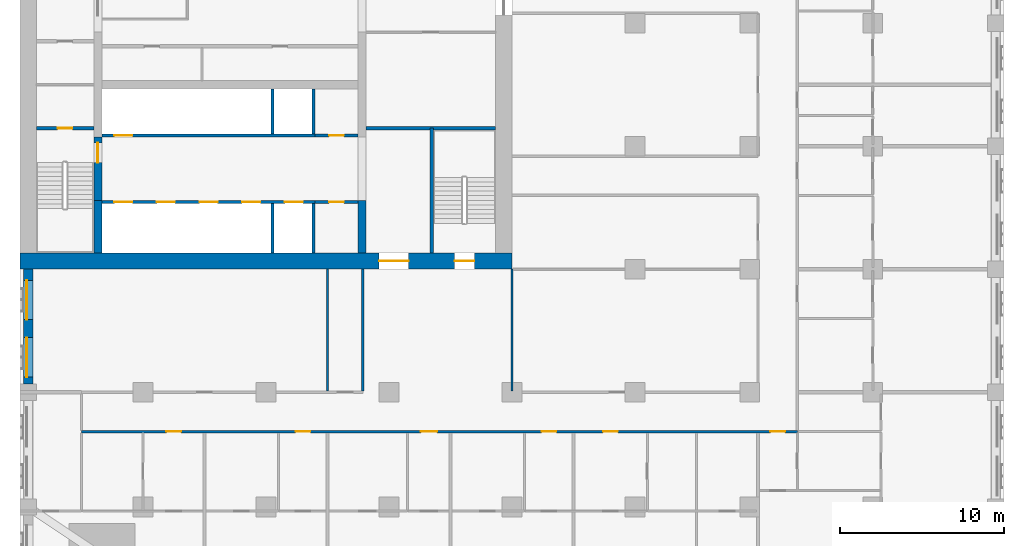
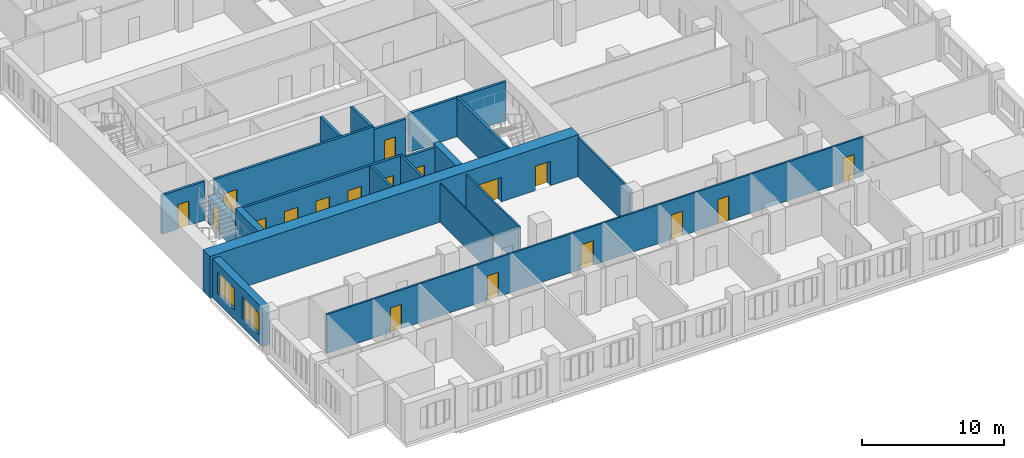
# One storey, part 5 of 14: 20 walls, 18 doors, 2 windows, 20 openings.
"""IFC4 building model written with IfcOpenShell, lengths in metres."""

from ifc_helpers import new_model, si_unit, direction, frame, frame_2d, origin, place, context, subcontext, project, spatial, rectangle, extrude, material, layer, layer_set, type_object, element, fill, save


model = new_model("IFC4")

# Units and contexts
model_context = context("Model", 3, precision=1e-05, world=origin(), true_north=direction((0.0, 1.0)))
body_context = subcontext(model_context, "Body", "Model", "MODEL_VIEW")
ifc_project = project(units=[si_unit("LENGTHUNIT", "METRE"), si_unit("AREAUNIT", "SQUARE_METRE"), si_unit("VOLUMEUNIT", "CUBIC_METRE"), si_unit("PLANEANGLEUNIT", "RADIAN"), si_unit("MASSUNIT", "GRAM", prefix="KILO")], contexts=[model_context])

# Site, building, storey
site_placement = place(None, origin())
site = spatial("IfcSite", under=ifc_project, at=site_placement, CompositionType="ELEMENT")
building_placement = place(site_placement, origin())
building = spatial("IfcBuilding", under=site, at=building_placement, Name="Tamorin Gate", CompositionType="ELEMENT")
storey_placement = place(building_placement, frame((0.0, 0.0, 52.0)))
storey = spatial("IfcBuildingStorey", under=building, at=storey_placement, Name="L11", CompositionType="ELEMENT", Elevation=52.0)

# Wall, openings, windows
ifc_material_1 = material(Name="Precast concrete C40/50", Category="concrete")
ifc_layer_1 = layer(ifc_material_1, 0.60009765625)
ifc_layer_set_1 = layer_set([ifc_layer_1], Name="Precast concrete C40/50")
wall_type_1 = type_object("IfcWallType", Name="Board-marked concrete facade panel 600", PredefinedType="SOLIDWALL", material=ifc_layer_set_1)
wall_1_placement = place(storey_placement, frame((30.5, 60.0, 0.0), z_axis=(0.0, 0.0, 1.0), x_axis=(0.0, -1.0, 0.0)))
wall_1 = element("IfcWall", 1, at=wall_1_placement, inside=storey, type_object=wall_type_1, Name="Facade panel", PredefinedType="SOLIDWALL", context=body_context, shape_type="SweptSolid", body=[
    extrude(rectangle(XDim=7.0, YDim=0.60009765625, at=frame_2d((3.5, 0.0))), origin(), (0.0, 0.0, 1.0), 3.35009765625),
])
opening_1_placement = place(wall_1_placement, frame((4.175048828125, 0.0, 0.800048828125)))
opening_1 = element("IfcOpeningElement", 2, at=opening_1_placement, cuts=wall_1, Name="Opening WN1", PredefinedType="OPENING", context=body_context, shape_type="SweptSolid", body=[
    extrude(rectangle(XDim=2.39990234375, YDim=1.800048828125, at=frame_2d((1.199951171875, 0.89990234375))), frame((0.0, 0.31005859375, 0.0), z_axis=(0.0, -1.0, 0.0), x_axis=(1.0, 0.0, 0.0)), (0.0, 0.0, 1.0), 0.6201171875),
])
opening_2_placement = place(wall_1_placement, frame((0.675048828125, 0.0, 0.800048828125)))
opening_2 = element("IfcOpeningElement", 3, at=opening_2_placement, cuts=wall_1, Name="Opening WN1", PredefinedType="OPENING", context=body_context, shape_type="SweptSolid", body=[
    extrude(rectangle(XDim=2.39990234375, YDim=1.800048828125, at=frame_2d((1.199951171875, 0.89990234375))), frame((0.0, 0.31005859375, 0.0), z_axis=(0.0, -1.0, 0.0), x_axis=(1.0, 0.0, 0.0)), (0.0, 0.0, 1.0), 0.6201171875),
])
ifc_material_2 = material(Name="Clear glass in aluminium frame", Category="aluminium")
window_type = type_object("IfcWindowType", Name="Deep-set window 2400x1800", PartitioningType="SINGLE_PANEL", PredefinedType="WINDOW", material=ifc_material_2)
window_1_placement = place(opening_1_placement, origin())
window_1 = element("IfcWindow", 4, at=window_1_placement, inside=storey, type_object=window_type, Name="Deep-set window", OverallHeight=1.800048828125, OverallWidth=2.39990234375, PartitioningType="SINGLE_PANEL", PredefinedType="WINDOW", context=body_context, shape_type="SweptSolid", body=[
    extrude(rectangle(XDim=2.39990234375, YDim=1.800048828125, at=frame_2d((1.199951171875, 0.89990234375))), frame((0.0, -0.070068359375, 0.0), z_axis=(0.0, -1.0, 0.0), x_axis=(1.0, 0.0, 0.0)), (0.0, 0.0, 1.0), 0.06005859375),
])
fill(opening_1, window_1)
window_2_placement = place(opening_2_placement, origin())
window_2 = element("IfcWindow", 5, at=window_2_placement, inside=storey, type_object=window_type, Name="Deep-set window", OverallHeight=1.800048828125, OverallWidth=2.39990234375, PartitioningType="SINGLE_PANEL", PredefinedType="WINDOW", context=body_context, shape_type="SweptSolid", body=[
    extrude(rectangle(XDim=2.39990234375, YDim=1.800048828125, at=frame_2d((1.199951171875, 0.89990234375))), frame((0.0, -0.070068359375, 0.0), z_axis=(0.0, -1.0, 0.0), x_axis=(1.0, 0.0, 0.0)), (0.0, 0.0, 1.0), 0.06005859375),
])
fill(opening_2, window_2)

# Wall, openings, doors
ifc_material_3 = material(Name="Gypsum board partition")
ifc_layer_2 = layer(ifc_material_3, 0.14990234375)
ifc_layer_set_2 = layer_set([ifc_layer_2], Name="Corridor wall 150")
wall_type_2 = type_object("IfcWallType", Name="Corridor wall 150", PredefinedType="PARTITIONING", material=ifc_layer_set_2)
wall_2_placement = place(storey_placement, frame((33.75, 50.10009765625, 0.0), z_axis=(0.0, 0.0, 1.0), x_axis=(1.0, 0.0, 0.0)))
wall_2 = element("IfcWall", 6, at=wall_2_placement, inside=storey, type_object=wall_type_2, Name="Corridor wall 150", PredefinedType="PARTITIONING", context=body_context, shape_type="SweptSolid", body=[
    extrude(rectangle(XDim=43.64990234375, YDim=0.14990234375, at=frame_2d((21.824951171875, 0.0))), origin(), (0.0, 0.0, 1.0), 3.35009765625),
])
opening_3_placement = place(wall_2_placement, frame((5.175048828125, 0.0, 0.0)))
opening_3 = element("IfcOpeningElement", 7, at=opening_3_placement, cuts=wall_2, Name="Opening DH2003", PredefinedType="OPENING", context=body_context, shape_type="SweptSolid", body=[
    extrude(rectangle(XDim=0.89990234375, YDim=2.10009765625, at=frame_2d((0.449951171875, 1.050048828125))), frame((0.0, 0.0849609375, 0.0), z_axis=(0.0, -1.0, 0.0), x_axis=(1.0, 0.0, 0.0)), (0.0, 0.0, 1.0), 0.169921875),
])
opening_4_placement = place(wall_2_placement, frame((13.050048828125, 0.0, 0.0)))
opening_4 = element("IfcOpeningElement", 8, at=opening_4_placement, cuts=wall_2, Name="Opening DH2006", PredefinedType="OPENING", context=body_context, shape_type="SweptSolid", body=[
    extrude(rectangle(XDim=0.89990234375, YDim=2.10009765625, at=frame_2d((0.449951171875, 1.050048828125))), frame((0.0, 0.0849609375, 0.0), z_axis=(0.0, -1.0, 0.0), x_axis=(1.0, 0.0, 0.0)), (0.0, 0.0, 1.0), 0.169921875),
])
opening_5_placement = place(wall_2_placement, frame((20.6875, 0.0, 0.0)))
opening_5 = element("IfcOpeningElement", 9, at=opening_5_placement, cuts=wall_2, Name="Opening DH2009", PredefinedType="OPENING", context=body_context, shape_type="SweptSolid", body=[
    extrude(rectangle(XDim=1.0, YDim=2.10009765625, at=frame_2d((0.5, 1.050048828125))), frame((0.0, 0.0849609375, 0.0), z_axis=(0.0, -1.0, 0.0), x_axis=(1.0, 0.0, 0.0)), (0.0, 0.0, 1.0), 0.169921875),
])
opening_6_placement = place(wall_2_placement, frame((28.050048828125, 0.0, 0.0)))
opening_6 = element("IfcOpeningElement", 10, at=opening_6_placement, cuts=wall_2, Name="Opening DH2012", PredefinedType="OPENING", context=body_context, shape_type="SweptSolid", body=[
    extrude(rectangle(XDim=0.89990234375, YDim=2.10009765625, at=frame_2d((0.449951171875, 1.050048828125))), frame((0.0, 0.0849609375, 0.0), z_axis=(0.0, -1.0, 0.0), x_axis=(1.0, 0.0, 0.0)), (0.0, 0.0, 1.0), 0.169921875),
])
opening_7_placement = place(wall_2_placement, frame((31.800048828125, 0.0, 0.0)))
opening_7 = element("IfcOpeningElement", 11, at=opening_7_placement, cuts=wall_2, Name="Opening DH2014", PredefinedType="OPENING", context=body_context, shape_type="SweptSolid", body=[
    extrude(rectangle(XDim=0.89990234375, YDim=2.10009765625, at=frame_2d((0.449951171875, 1.050048828125))), frame((0.0, 0.0849609375, 0.0), z_axis=(0.0, -1.0, 0.0), x_axis=(1.0, 0.0, 0.0)), (0.0, 0.0, 1.0), 0.169921875),
])
opening_8_placement = place(wall_2_placement, frame((42.0, 0.0, 0.0)))
opening_8 = element("IfcOpeningElement", 12, at=opening_8_placement, cuts=wall_2, Name="Opening DH2055", PredefinedType="OPENING", context=body_context, shape_type="SweptSolid", body=[
    extrude(rectangle(XDim=0.89990234375, YDim=2.10009765625, at=frame_2d((0.449951171875, 1.050048828125))), frame((0.0, 0.0849609375, 0.0), z_axis=(0.0, -1.0, 0.0), x_axis=(1.0, 0.0, 0.0)), (0.0, 0.0, 1.0), 0.169921875),
])
ifc_material_4 = material(Name="Timber door leaf", Category="wood")
door_type_1 = type_object("IfcDoorType", Name="Door 1000 x 2100 FD30S", OperationType="NOTDEFINED", PredefinedType="DOOR", material=ifc_material_4)
door_1_placement = place(opening_5_placement, origin())
door_1 = element("IfcDoor", 13, at=door_1_placement, inside=storey, type_object=door_type_1, Name="Door DH2009", OperationType="SINGLE_SWING_RIGHT", OverallHeight=2.10009765625, OverallWidth=1.0, PredefinedType="DOOR", context=body_context, shape_type="SweptSolid", body=[
    extrude(rectangle(XDim=1.0, YDim=2.10009765625, at=frame_2d((0.5, 1.050048828125))), frame((0.0, 0.02490234375, 0.0), z_axis=(0.0, -1.0, 0.0), x_axis=(1.0, 0.0, 0.0)), (0.0, 0.0, 1.0), 0.050048828125),
])
fill(opening_5, door_1)
door_type_2 = type_object("IfcDoorType", Name="Door 900 x 2100 FD30S", OperationType="NOTDEFINED", PredefinedType="DOOR", material=ifc_material_4)
door_2_placement = place(opening_3_placement, origin())
door_2 = element("IfcDoor", 14, at=door_2_placement, inside=storey, type_object=door_type_2, Name="Door DH2003", OperationType="SINGLE_SWING_RIGHT", OverallHeight=2.10009765625, OverallWidth=0.89990234375, PredefinedType="DOOR", context=body_context, shape_type="SweptSolid", body=[
    extrude(rectangle(XDim=0.89990234375, YDim=2.10009765625, at=frame_2d((0.449951171875, 1.050048828125))), frame((0.0, 0.02490234375, 0.0), z_axis=(0.0, -1.0, 0.0), x_axis=(1.0, 0.0, 0.0)), (0.0, 0.0, 1.0), 0.050048828125),
])
fill(opening_3, door_2)
door_3_placement = place(opening_4_placement, origin())
door_3 = element("IfcDoor", 15, at=door_3_placement, inside=storey, type_object=door_type_2, Name="Door DH2006", OperationType="SINGLE_SWING_RIGHT", OverallHeight=2.10009765625, OverallWidth=0.89990234375, PredefinedType="DOOR", context=body_context, shape_type="SweptSolid", body=[
    extrude(rectangle(XDim=0.89990234375, YDim=2.10009765625, at=frame_2d((0.449951171875, 1.050048828125))), frame((0.0, 0.02490234375, 0.0), z_axis=(0.0, -1.0, 0.0), x_axis=(1.0, 0.0, 0.0)), (0.0, 0.0, 1.0), 0.050048828125),
])
fill(opening_4, door_3)
door_4_placement = place(opening_6_placement, origin())
door_4 = element("IfcDoor", 16, at=door_4_placement, inside=storey, type_object=door_type_2, Name="Door DH2012", OperationType="SINGLE_SWING_RIGHT", OverallHeight=2.10009765625, OverallWidth=0.89990234375, PredefinedType="DOOR", context=body_context, shape_type="SweptSolid", body=[
    extrude(rectangle(XDim=0.89990234375, YDim=2.10009765625, at=frame_2d((0.449951171875, 1.050048828125))), frame((0.0, 0.02490234375, 0.0), z_axis=(0.0, -1.0, 0.0), x_axis=(1.0, 0.0, 0.0)), (0.0, 0.0, 1.0), 0.050048828125),
])
fill(opening_6, door_4)
door_5_placement = place(opening_7_placement, origin())
door_5 = element("IfcDoor", 17, at=door_5_placement, inside=storey, type_object=door_type_2, Name="Door DH2014", OperationType="SINGLE_SWING_RIGHT", OverallHeight=2.10009765625, OverallWidth=0.89990234375, PredefinedType="DOOR", context=body_context, shape_type="SweptSolid", body=[
    extrude(rectangle(XDim=0.89990234375, YDim=2.10009765625, at=frame_2d((0.449951171875, 1.050048828125))), frame((0.0, 0.02490234375, 0.0), z_axis=(0.0, -1.0, 0.0), x_axis=(1.0, 0.0, 0.0)), (0.0, 0.0, 1.0), 0.050048828125),
])
fill(opening_7, door_5)
door_6_placement = place(opening_8_placement, origin())
door_6 = element("IfcDoor", 18, at=door_6_placement, inside=storey, type_object=door_type_2, Name="Door DH2055", OperationType="SINGLE_SWING_LEFT", OverallHeight=2.10009765625, OverallWidth=0.89990234375, PredefinedType="DOOR", context=body_context, shape_type="SweptSolid", body=[
    extrude(rectangle(XDim=0.89990234375, YDim=2.10009765625, at=frame_2d((0.449951171875, 1.050048828125))), frame((0.0, 0.02490234375, 0.0), z_axis=(0.0, -1.0, 0.0), x_axis=(1.0, 0.0, 0.0)), (0.0, 0.0, 1.0), 0.050048828125),
])
fill(opening_8, door_6)

ifc_material_5 = material(Name="Concrete C32/40", Category="concrete")
ifc_layer_3 = layer(ifc_material_5, 0.199951171875)
ifc_layer_set_3 = layer_set([ifc_layer_3], Name="Lift lobby face wall 200 EI 120")
wall_type_3 = type_object("IfcWallType", Name="Lift lobby face wall 200 EI 120", PredefinedType="SOLIDWALL", material=ifc_layer_set_3)
wall_3_placement = place(storey_placement, frame((35.0, 64.10009765625, 0.0), z_axis=(0.0, 0.0, 1.0), x_axis=(1.0, 0.0, 0.0)))
wall_3 = element("IfcWall", 19, at=wall_3_placement, inside=storey, type_object=wall_type_3, Name="Lift lobby face wall", PredefinedType="SOLIDWALL", context=body_context, shape_type="SweptSolid", body=[
    extrude(rectangle(XDim=13.0, YDim=0.199951171875, at=frame_2d((6.5, 0.0))), origin(), (0.0, 0.0, 1.0), 3.60009765625),
])
opening_9_placement = place(wall_3_placement, frame((0.75, 0.0, 0.0)))
opening_9 = element("IfcOpeningElement", 20, at=opening_9_placement, cuts=wall_3, Name="Opening LD1", PredefinedType="OPENING", context=body_context, shape_type="SweptSolid", body=[
    extrude(rectangle(XDim=1.10009765625, YDim=2.10009765625, at=frame_2d((0.550048828125, 1.050048828125))), frame((0.0, 0.10986328125, 0.0), z_axis=(0.0, -1.0, 0.0), x_axis=(1.0, 0.0, 0.0)), (0.0, 0.0, 1.0), 0.219970703125),
])
opening_10_placement = place(wall_3_placement, frame((3.35009765625, 0.0, 0.0)))
opening_10 = element("IfcOpeningElement", 21, at=opening_10_placement, cuts=wall_3, Name="Opening LD2", PredefinedType="OPENING", context=body_context, shape_type="SweptSolid", body=[
    extrude(rectangle(XDim=1.10009765625, YDim=2.10009765625, at=frame_2d((0.550048828125, 1.050048828125))), frame((0.0, 0.10986328125, 0.0), z_axis=(0.0, -1.0, 0.0), x_axis=(1.0, 0.0, 0.0)), (0.0, 0.0, 1.0), 0.219970703125),
])
opening_11_placement = place(wall_3_placement, frame((5.949951171875, 0.0, 0.0)))
opening_11 = element("IfcOpeningElement", 22, at=opening_11_placement, cuts=wall_3, Name="Opening LD3", PredefinedType="OPENING", context=body_context, shape_type="SweptSolid", body=[
    extrude(rectangle(XDim=1.10009765625, YDim=2.10009765625, at=frame_2d((0.550048828125, 1.050048828125))), frame((0.0, 0.10986328125, 0.0), z_axis=(0.0, -1.0, 0.0), x_axis=(1.0, 0.0, 0.0)), (0.0, 0.0, 1.0), 0.219970703125),
])
opening_12_placement = place(wall_3_placement, frame((8.550048828125, 0.0, 0.0)))
opening_12 = element("IfcOpeningElement", 23, at=opening_12_placement, cuts=wall_3, Name="Opening LD4", PredefinedType="OPENING", context=body_context, shape_type="SweptSolid", body=[
    extrude(rectangle(XDim=1.10009765625, YDim=2.10009765625, at=frame_2d((0.550048828125, 1.050048828125))), frame((0.0, 0.10986328125, 0.0), z_axis=(0.0, -1.0, 0.0), x_axis=(1.0, 0.0, 0.0)), (0.0, 0.0, 1.0), 0.219970703125),
])
opening_13_placement = place(wall_3_placement, frame((11.14990234375, 0.0, 0.0)))
opening_13 = element("IfcOpeningElement", 24, at=opening_13_placement, cuts=wall_3, Name="Opening LD5", PredefinedType="OPENING", context=body_context, shape_type="SweptSolid", body=[
    extrude(rectangle(XDim=1.10009765625, YDim=2.10009765625, at=frame_2d((0.550048828125, 1.050048828125))), frame((0.0, 0.10986328125, 0.0), z_axis=(0.0, -1.0, 0.0), x_axis=(1.0, 0.0, 0.0)), (0.0, 0.0, 1.0), 0.219970703125),
])
ifc_material_6 = material(Name="Stainless steel sliding door", Category="steel")
door_type_3 = type_object("IfcDoorType", Name="Lift landing door 1100 x 2100 E 90", OperationType="DOUBLE_DOOR_SLIDING", PredefinedType="DOOR", material=ifc_material_6)
door_7_placement = place(opening_9_placement, origin())
door_7 = element("IfcDoor", 25, at=door_7_placement, inside=storey, type_object=door_type_3, Name="LR1 landing door", OperationType="DOUBLE_DOOR_SLIDING", OverallHeight=2.10009765625, OverallWidth=1.10009765625, PredefinedType="DOOR", context=body_context, shape_type="SweptSolid", body=[
    extrude(rectangle(XDim=1.10009765625, YDim=2.10009765625, at=frame_2d((0.550048828125, 1.050048828125))), frame((0.0, 0.02490234375, 0.0), z_axis=(0.0, -1.0, 0.0), x_axis=(1.0, 0.0, 0.0)), (0.0, 0.0, 1.0), 0.050048828125),
])
fill(opening_9, door_7)
door_8_placement = place(opening_10_placement, origin())
door_8 = element("IfcDoor", 26, at=door_8_placement, inside=storey, type_object=door_type_3, Name="LR2 landing door", OperationType="DOUBLE_DOOR_SLIDING", OverallHeight=2.10009765625, OverallWidth=1.10009765625, PredefinedType="DOOR", context=body_context, shape_type="SweptSolid", body=[
    extrude(rectangle(XDim=1.10009765625, YDim=2.10009765625, at=frame_2d((0.550048828125, 1.050048828125))), frame((0.0, 0.02490234375, 0.0), z_axis=(0.0, -1.0, 0.0), x_axis=(1.0, 0.0, 0.0)), (0.0, 0.0, 1.0), 0.050048828125),
])
fill(opening_10, door_8)
door_9_placement = place(opening_11_placement, origin())
door_9 = element("IfcDoor", 27, at=door_9_placement, inside=storey, type_object=door_type_3, Name="LR3 landing door", OperationType="DOUBLE_DOOR_SLIDING", OverallHeight=2.10009765625, OverallWidth=1.10009765625, PredefinedType="DOOR", context=body_context, shape_type="SweptSolid", body=[
    extrude(rectangle(XDim=1.10009765625, YDim=2.10009765625, at=frame_2d((0.550048828125, 1.050048828125))), frame((0.0, 0.02490234375, 0.0), z_axis=(0.0, -1.0, 0.0), x_axis=(1.0, 0.0, 0.0)), (0.0, 0.0, 1.0), 0.050048828125),
])
fill(opening_11, door_9)
door_10_placement = place(opening_12_placement, origin())
door_10 = element("IfcDoor", 28, at=door_10_placement, inside=storey, type_object=door_type_3, Name="LR4 landing door", OperationType="DOUBLE_DOOR_SLIDING", OverallHeight=2.10009765625, OverallWidth=1.10009765625, PredefinedType="DOOR", context=body_context, shape_type="SweptSolid", body=[
    extrude(rectangle(XDim=1.10009765625, YDim=2.10009765625, at=frame_2d((0.550048828125, 1.050048828125))), frame((0.0, 0.02490234375, 0.0), z_axis=(0.0, -1.0, 0.0), x_axis=(1.0, 0.0, 0.0)), (0.0, 0.0, 1.0), 0.050048828125),
])
fill(opening_12, door_10)
door_11_placement = place(opening_13_placement, origin())
door_11 = element("IfcDoor", 29, at=door_11_placement, inside=storey, type_object=door_type_3, Name="LR5 landing door", OperationType="DOUBLE_DOOR_SLIDING", OverallHeight=2.10009765625, OverallWidth=1.10009765625, PredefinedType="DOOR", context=body_context, shape_type="SweptSolid", body=[
    extrude(rectangle(XDim=1.10009765625, YDim=2.10009765625, at=frame_2d((0.550048828125, 1.050048828125))), frame((0.0, 0.02490234375, 0.0), z_axis=(0.0, -1.0, 0.0), x_axis=(1.0, 0.0, 0.0)), (0.0, 0.0, 1.0), 0.050048828125),
])
fill(opening_13, door_11)

# Wall, opening, door
wall_4_placement = place(storey_placement, frame((35.0, 68.14990234375, 0.0), z_axis=(0.0, 0.0, 1.0), x_axis=(1.0, 0.0, 0.0)))
wall_4 = element("IfcWall", 30, at=wall_4_placement, inside=storey, type_object=wall_type_3, Name="Lift lobby face wall", PredefinedType="SOLIDWALL", context=body_context, shape_type="SweptSolid", body=[
    extrude(rectangle(XDim=13.0, YDim=0.199951171875, at=frame_2d((6.5, 0.0))), origin(), (0.0, 0.0, 1.0), 3.60009765625),
])
opening_14_placement = place(wall_4_placement, frame((0.75, 0.0, 0.0)))
opening_14 = element("IfcOpeningElement", 31, at=opening_14_placement, cuts=wall_4, Name="Opening LD6", PredefinedType="OPENING", context=body_context, shape_type="SweptSolid", body=[
    extrude(rectangle(XDim=1.10009765625, YDim=2.10009765625, at=frame_2d((0.550048828125, 1.050048828125))), frame((0.0, 0.10986328125, 0.0), z_axis=(0.0, -1.0, 0.0), x_axis=(1.0, 0.0, 0.0)), (0.0, 0.0, 1.0), 0.219970703125),
])
door_12_placement = place(opening_14_placement, origin())
door_12 = element("IfcDoor", 32, at=door_12_placement, inside=storey, type_object=door_type_3, Name="LR6 landing door", OperationType="DOUBLE_DOOR_SLIDING", OverallHeight=2.10009765625, OverallWidth=1.10009765625, PredefinedType="DOOR", context=body_context, shape_type="SweptSolid", body=[
    extrude(rectangle(XDim=1.10009765625, YDim=2.10009765625, at=frame_2d((0.550048828125, 1.050048828125))), frame((0.0, 0.02490234375, 0.0), z_axis=(0.0, -1.0, 0.0), x_axis=(1.0, 0.0, 0.0)), (0.0, 0.0, 1.0), 0.050048828125),
])
fill(opening_14, door_12)

# Walls
ifc_layer_4 = layer(ifc_material_5, 0.199951171875)
ifc_layer_set_4 = layer_set([ifc_layer_4], Name="Lift shaft wall 200 EI 120")
wall_type_4 = type_object("IfcWallType", Name="Lift shaft wall 200 EI 120", PredefinedType="SOLIDWALL", material=ifc_layer_set_4)
for number, where, z_axis, x_axis, name in (
    (33, (45.39990234375, 61.0, 0.0), (0.0, 0.0, 1.0), (0.0, 1.0, 0.0), "Lift shaft wall"),
    (34, (47.89990234375, 61.0, 0.0), (0.0, 0.0, 1.0), (0.0, 1.0, 0.0), "Lift shaft wall"),
):
    element("IfcWall", number, at=place(storey_placement, frame(where, z_axis=z_axis, x_axis=x_axis)), inside=storey, type_object=wall_type_4, Name=name, PredefinedType="SOLIDWALL", context=body_context, shape_type="SweptSolid", body=[
        extrude(rectangle(XDim=3.0, YDim=0.199951171875, at=frame_2d((1.5, 0.0))), origin(), (0.0, 0.0, 1.0), 3.60009765625),
    ])
for number, where, z_axis, x_axis, name in (
    (35, (45.39990234375, 68.25, 0.0), (0.0, 0.0, 1.0), (0.0, 1.0, 0.0), "Lift shaft wall"),
    (36, (47.89990234375, 68.25, 0.0), (0.0, 0.0, 1.0), (0.0, 1.0, 0.0), "Lift shaft wall"),
):
    element("IfcWall", number, at=place(storey_placement, frame(where, z_axis=z_axis, x_axis=x_axis)), inside=storey, type_object=wall_type_4, Name=name, PredefinedType="SOLIDWALL", context=body_context, shape_type="SweptSolid", body=[
        extrude(rectangle(XDim=2.75, YDim=0.199951171875, at=frame_2d((1.375, 0.0))), origin(), (0.0, 0.0, 1.0), 3.60009765625),
    ])
ifc_layer_5 = layer(ifc_material_3, 0.14990234375)
ifc_layer_set_5 = layer_set([ifc_layer_5], Name="Lobby wall 150")
wall_type_5 = type_object("IfcWallType", Name="Lobby wall 150", PredefinedType="PARTITIONING", material=ifc_layer_set_5)
for number, where, z_axis, x_axis, name in (
    (37, (50.89990234375, 52.574951171875, 0.0), (0.0, 0.0, 1.0), (0.0, 1.0, 0.0), "Lobby wall 150"),
    (38, (60.0, 52.574951171875, 0.0), (0.0, 0.0, 1.0), (0.0, 1.0, 0.0), "Lobby wall 150"),
):
    element("IfcWall", number, at=place(storey_placement, frame(where, z_axis=z_axis, x_axis=x_axis)), inside=storey, type_object=wall_type_5, Name=name, PredefinedType="PARTITIONING", context=body_context, shape_type="SweptSolid", body=[
        extrude(rectangle(XDim=7.425048828125, YDim=0.14990234375, at=frame_2d((3.71240234375, 0.0))), origin(), (0.0, 0.0, 1.0), 3.35009765625),
    ])
ifc_material_7 = material(Name="Concrete C80/95", Category="concrete")
ifc_layer_6 = layer(ifc_material_7, 0.5)
ifc_layer_set_6 = layer_set([ifc_layer_6], Name="RC core internal wall 500 C80/95")
wall_type_6 = type_object("IfcWallType", Name="RC core internal wall 500 C80/95", PredefinedType="SHEAR", material=ifc_layer_set_6)
for number, where, z_axis, x_axis, name in (
    (39, (34.75, 61.0, 0.0), (0.0, 0.0, 1.0), (0.0, 1.0, 0.0), "Core cross wall L11"),
    (40, (50.85009765625, 61.0, 0.0), (0.0, 0.0, 1.0), (0.0, 1.0, 0.0), "Core cross wall L11"),
):
    element("IfcWall", number, at=place(storey_placement, frame(where, z_axis=z_axis, x_axis=x_axis)), inside=storey, type_object=wall_type_6, Name=name, PredefinedType="SHEAR", context=body_context, shape_type="SweptSolid", body=[
        extrude(rectangle(XDim=3.199951171875, YDim=0.5, at=frame_2d((1.60009765625, 0.0))), origin(), (0.0, 0.0, 1.0), 3.60009765625),
    ])

# Wall, openings, doors
ifc_layer_7 = layer(ifc_material_7, 1.0)
ifc_layer_set_7 = layer_set([ifc_layer_7], Name="RC core wall 1000 C80/95")
wall_type_7 = type_object("IfcWallType", Name="RC core wall 1000 C80/95", PredefinedType="SHEAR", material=ifc_layer_set_7)
wall_5_placement = place(storey_placement, frame((30.0, 60.5, 0.0), z_axis=(0.0, 0.0, 1.0), x_axis=(1.0, 0.0, 0.0)))
wall_5 = element("IfcWall", 41, at=wall_5_placement, inside=storey, type_object=wall_type_7, Name="Core wall L11", PredefinedType="SHEAR", context=body_context, shape_type="SweptSolid", body=[
    extrude(rectangle(XDim=30.0, YDim=1.0, at=frame_2d((15.0, 0.0))), origin(), (0.0, 0.0, 1.0), 3.60009765625),
])
opening_15_placement = place(wall_5_placement, frame((21.89990234375, 0.0, 0.0)))
opening_15 = element("IfcOpeningElement", 42, at=opening_15_placement, cuts=wall_5, Name="Opening DE1", PredefinedType="OPENING", context=body_context, shape_type="SweptSolid", body=[
    extrude(rectangle(XDim=1.800048828125, YDim=2.10009765625, at=frame_2d((0.89990234375, 1.050048828125))), frame((0.0, 0.510009765625, 0.0), z_axis=(0.0, -1.0, 0.0), x_axis=(1.0, 0.0, 0.0)), (0.0, 0.0, 1.0), 1.02001953125),
])
opening_16_placement = place(wall_5_placement, frame((26.5, 0.0, 0.0)))
opening_16 = element("IfcOpeningElement", 43, at=opening_16_placement, cuts=wall_5, Name="Opening DS1", PredefinedType="OPENING", context=body_context, shape_type="SweptSolid", body=[
    extrude(rectangle(XDim=1.199951171875, YDim=2.10009765625, at=frame_2d((0.60009765625, 1.050048828125))), frame((0.0, 0.510009765625, 0.0), z_axis=(0.0, -1.0, 0.0), x_axis=(1.0, 0.0, 0.0)), (0.0, 0.0, 1.0), 1.02001953125),
])
ifc_material_8 = material(Name="Steel fire door", Category="steel")
door_type_4 = type_object("IfcDoorType", Name="Lobby exit double door 1800 x 2100 EI 60", OperationType="DOUBLE_DOOR_SINGLE_SWING", PredefinedType="DOOR", material=ifc_material_8)
door_13_placement = place(opening_15_placement, origin())
door_13 = element("IfcDoor", 44, at=door_13_placement, inside=storey, type_object=door_type_4, Name="Lift lobby A exit door", OperationType="DOUBLE_DOOR_SINGLE_SWING", OverallHeight=2.10009765625, OverallWidth=1.800048828125, PredefinedType="DOOR", context=body_context, shape_type="SweptSolid", body=[
    extrude(rectangle(XDim=1.800048828125, YDim=2.10009765625, at=frame_2d((0.89990234375, 1.050048828125))), frame((0.0, 0.02490234375, 0.0), z_axis=(0.0, -1.0, 0.0), x_axis=(1.0, 0.0, 0.0)), (0.0, 0.0, 1.0), 0.050048828125),
])
fill(opening_15, door_13)
door_type_5 = type_object("IfcDoorType", Name="Stair door 1200 x 2100 EI 90", OperationType="SINGLE_SWING_LEFT", PredefinedType="DOOR", material=ifc_material_8)
door_14_placement = place(opening_16_placement, origin())
door_14 = element("IfcDoor", 45, at=door_14_placement, inside=storey, type_object=door_type_5, Name="ST3 door", OperationType="SINGLE_SWING_LEFT", OverallHeight=2.10009765625, OverallWidth=1.199951171875, PredefinedType="DOOR", context=body_context, shape_type="SweptSolid", body=[
    extrude(rectangle(XDim=1.199951171875, YDim=2.10009765625, at=frame_2d((0.60009765625, 1.050048828125))), frame((0.0, 0.02490234375, 0.0), z_axis=(0.0, -1.0, 0.0), x_axis=(1.0, 0.0, 0.0)), (0.0, 0.0, 1.0), 0.050048828125),
])
fill(opening_16, door_14)

# Wall
ifc_layer_8 = layer(ifc_material_3, 0.10009765625)
ifc_layer_set_8 = layer_set([ifc_layer_8], Name="Room partition 100")
wall_type_8 = type_object("IfcWallType", Name="Room partition 100", PredefinedType="PARTITIONING", material=ifc_layer_set_8)
wall_6_placement = place(storey_placement, frame((48.75, 52.574951171875, 0.0), z_axis=(0.0, 0.0, 1.0), x_axis=(0.0, 1.0, 0.0)))
element("IfcWall", 46, at=wall_6_placement, inside=storey, type_object=wall_type_8, Name="Room partition 100", PredefinedType="PARTITIONING", context=body_context, shape_type="SweptSolid", body=[
    extrude(rectangle(XDim=7.425048828125, YDim=0.10009765625, at=frame_2d((3.71240234375, 0.0))), origin(), (0.0, 0.0, 1.0), 3.35009765625),
])

# Wall, opening, door
ifc_layer_9 = layer(ifc_material_3, 0.199951171875)
ifc_layer_set_9 = layer_set([ifc_layer_9], Name="Service room face wall 200 EI 60")
wall_type_9 = type_object("IfcWallType", Name="Service room face wall 200 EI 60", PredefinedType="PARTITIONING", material=ifc_layer_set_9)
wall_7_placement = place(storey_placement, frame((48.0, 64.10009765625, 0.0), z_axis=(0.0, 0.0, 1.0), x_axis=(1.0, 0.0, 0.0)))
wall_7 = element("IfcWall", 47, at=wall_7_placement, inside=storey, type_object=wall_type_9, Name="Service room face wall", PredefinedType="PARTITIONING", context=body_context, shape_type="SweptSolid", body=[
    extrude(rectangle(XDim=2.60009765625, YDim=0.199951171875, at=frame_2d((1.300048828125, 0.0))), origin(), (0.0, 0.0, 1.0), 3.35009765625),
])
opening_17_placement = place(wall_7_placement, frame((0.85009765625, 0.0, 0.0)))
opening_17 = element("IfcOpeningElement", 48, at=opening_17_placement, cuts=wall_7, Name="Opening DK1", PredefinedType="OPENING", context=body_context, shape_type="SweptSolid", body=[
    extrude(rectangle(XDim=0.89990234375, YDim=2.10009765625, at=frame_2d((0.449951171875, 1.050048828125))), frame((0.0, 0.10986328125, 0.0), z_axis=(0.0, -1.0, 0.0), x_axis=(1.0, 0.0, 0.0)), (0.0, 0.0, 1.0), 0.219970703125),
])
ifc_material_9 = material(Name="Timber fire door", Category="wood")
door_type_6 = type_object("IfcDoorType", Name="Service room door 900 x 2100 EI 60", OperationType="SINGLE_SWING_LEFT", PredefinedType="DOOR", material=ifc_material_9)
door_15_placement = place(opening_17_placement, origin())
door_15 = element("IfcDoor", 49, at=door_15_placement, inside=storey, type_object=door_type_6, Name="Door Linen store", OperationType="SINGLE_SWING_LEFT", OverallHeight=2.10009765625, OverallWidth=0.89990234375, PredefinedType="DOOR", context=body_context, shape_type="SweptSolid", body=[
    extrude(rectangle(XDim=0.89990234375, YDim=2.10009765625, at=frame_2d((0.449951171875, 1.050048828125))), frame((0.0, 0.02490234375, 0.0), z_axis=(0.0, -1.0, 0.0), x_axis=(1.0, 0.0, 0.0)), (0.0, 0.0, 1.0), 0.050048828125),
])
fill(opening_17, door_15)

wall_8_placement = place(storey_placement, frame((48.0, 68.14990234375, 0.0), z_axis=(0.0, 0.0, 1.0), x_axis=(1.0, 0.0, 0.0)))
wall_8 = element("IfcWall", 50, at=wall_8_placement, inside=storey, type_object=wall_type_9, Name="Service room face wall", PredefinedType="PARTITIONING", context=body_context, shape_type="SweptSolid", body=[
    extrude(rectangle(XDim=2.60009765625, YDim=0.199951171875, at=frame_2d((1.300048828125, 0.0))), origin(), (0.0, 0.0, 1.0), 3.35009765625),
])
opening_18_placement = place(wall_8_placement, frame((0.85009765625, 0.0, 0.0)))
opening_18 = element("IfcOpeningElement", 51, at=opening_18_placement, cuts=wall_8, Name="Opening DK1", PredefinedType="OPENING", context=body_context, shape_type="SweptSolid", body=[
    extrude(rectangle(XDim=0.89990234375, YDim=2.10009765625, at=frame_2d((0.449951171875, 1.050048828125))), frame((0.0, 0.10986328125, 0.0), z_axis=(0.0, -1.0, 0.0), x_axis=(1.0, 0.0, 0.0)), (0.0, 0.0, 1.0), 0.219970703125),
])
door_16_placement = place(opening_18_placement, origin())
door_16 = element("IfcDoor", 52, at=door_16_placement, inside=storey, type_object=door_type_6, Name="Door Vending and ice room", OperationType="SINGLE_SWING_LEFT", OverallHeight=2.10009765625, OverallWidth=0.89990234375, PredefinedType="DOOR", context=body_context, shape_type="SweptSolid", body=[
    extrude(rectangle(XDim=0.89990234375, YDim=2.10009765625, at=frame_2d((0.449951171875, 1.050048828125))), frame((0.0, 0.02490234375, 0.0), z_axis=(0.0, -1.0, 0.0), x_axis=(1.0, 0.0, 0.0)), (0.0, 0.0, 1.0), 0.050048828125),
])
fill(opening_18, door_16)

ifc_material_10 = material(Name="Concrete C40/50", Category="concrete")
ifc_layer_10 = layer(ifc_material_10, 0.199951171875)
ifc_layer_set_10 = layer_set([ifc_layer_10], Name="Stair enclosure wall 200 EI 120 C40/50")
wall_type_10 = type_object("IfcWallType", Name="Stair enclosure wall 200 EI 120 C40/50", PredefinedType="SOLIDWALL", material=ifc_layer_set_10)
wall_9_placement = place(storey_placement, frame((31.0, 68.60009765625, 0.0), z_axis=(0.0, 0.0, 1.0), x_axis=(1.0, 0.0, 0.0)))
wall_9 = element("IfcWall", 53, at=wall_9_placement, inside=storey, type_object=wall_type_10, Name="Stair enclosure wall", PredefinedType="SOLIDWALL", context=body_context, shape_type="SweptSolid", body=[
    extrude(rectangle(XDim=3.5, YDim=0.199951171875, at=frame_2d((1.75, 0.0))), origin(), (0.0, 0.0, 1.0), 3.35009765625),
])
opening_19_placement = place(wall_9_placement, frame((1.300048828125, 0.0, 0.0)))
opening_19 = element("IfcOpeningElement", 54, at=opening_19_placement, cuts=wall_9, Name="Opening DR1", PredefinedType="OPENING", context=body_context, shape_type="SweptSolid", body=[
    extrude(rectangle(XDim=0.89990234375, YDim=2.10009765625, at=frame_2d((0.449951171875, 1.050048828125))), frame((0.0, 0.10986328125, 0.0), z_axis=(0.0, -1.0, 0.0), x_axis=(1.0, 0.0, 0.0)), (0.0, 0.0, 1.0), 0.219970703125),
])
door_type_7 = type_object("IfcDoorType", Name="Riser access door 900 x 2100 EI 120", OperationType="SINGLE_SWING_LEFT", PredefinedType="DOOR", material=ifc_material_8)
door_17_placement = place(opening_19_placement, origin())
door_17 = element("IfcDoor", 55, at=door_17_placement, inside=storey, type_object=door_type_7, Name="Electrical riser door", OperationType="SINGLE_SWING_LEFT", OverallHeight=2.10009765625, OverallWidth=0.89990234375, PredefinedType="DOOR", context=body_context, shape_type="SweptSolid", body=[
    extrude(rectangle(XDim=0.89990234375, YDim=2.10009765625, at=frame_2d((0.449951171875, 1.050048828125))), frame((0.0, 0.02490234375, 0.0), z_axis=(0.0, -1.0, 0.0), x_axis=(1.0, 0.0, 0.0)), (0.0, 0.0, 1.0), 0.050048828125),
])
fill(opening_19, door_17)

# Walls
wall_10_placement = place(storey_placement, frame((55.10009765625, 61.0, 0.0), z_axis=(0.0, 0.0, 1.0), x_axis=(0.0, 1.0, 0.0)))
element("IfcWall", 56, at=wall_10_placement, inside=storey, type_object=wall_type_10, Name="Stair enclosure wall", PredefinedType="SOLIDWALL", context=body_context, shape_type="SweptSolid", body=[
    extrude(rectangle(XDim=7.60009765625, YDim=0.199951171875, at=frame_2d((3.800048828125, 0.0))), origin(), (0.0, 0.0, 1.0), 3.35009765625),
])
wall_11_placement = place(storey_placement, frame((51.10009765625, 68.60009765625, 0.0), z_axis=(0.0, 0.0, 1.0), x_axis=(1.0, 0.0, 0.0)))
element("IfcWall", 57, at=wall_11_placement, inside=storey, type_object=wall_type_10, Name="Stair enclosure wall", PredefinedType="SOLIDWALL", context=body_context, shape_type="SweptSolid", body=[
    extrude(rectangle(XDim=7.89990234375, YDim=0.199951171875, at=frame_2d((3.949951171875, 0.0))), origin(), (0.0, 0.0, 1.0), 3.35009765625),
])

# Wall, opening, door
ifc_layer_11 = layer(ifc_material_5, 0.5)
ifc_layer_set_11 = layer_set([ifc_layer_11], Name="Stair lobby infill wall 500 EI 120")
wall_type_11 = type_object("IfcWallType", Name="Stair lobby infill wall 500 EI 120", PredefinedType="SOLIDWALL", material=ifc_layer_set_11)
wall_12_placement = place(storey_placement, frame((34.75, 64.199951171875, 0.0), z_axis=(0.0, 0.0, 1.0), x_axis=(0.0, 1.0, 0.0)))
wall_12 = element("IfcWall", 58, at=wall_12_placement, inside=storey, type_object=wall_type_11, Name="Stair lobby infill wall", PredefinedType="SOLIDWALL", context=body_context, shape_type="SweptSolid", body=[
    extrude(rectangle(XDim=3.85009765625, YDim=0.5, at=frame_2d((1.925048828125, 0.0))), origin(), (0.0, 0.0, 1.0), 2.39990234375),
])
opening_20_placement = place(wall_12_placement, frame((2.300048828125, 0.0, 0.0)))
opening_20 = element("IfcOpeningElement", 59, at=opening_20_placement, cuts=wall_12, Name="Opening DS1", PredefinedType="OPENING", context=body_context, shape_type="SweptSolid", body=[
    extrude(rectangle(XDim=1.199951171875, YDim=2.10009765625, at=frame_2d((0.60009765625, 1.050048828125))), frame((0.0, 0.260009765625, 0.0), z_axis=(0.0, -1.0, 0.0), x_axis=(1.0, 0.0, 0.0)), (0.0, 0.0, 1.0), 0.52001953125),
])
door_18_placement = place(opening_20_placement, origin())
door_18 = element("IfcDoor", 60, at=door_18_placement, inside=storey, type_object=door_type_5, Name="ST1 door", OperationType="SINGLE_SWING_LEFT", OverallHeight=2.10009765625, OverallWidth=1.199951171875, PredefinedType="DOOR", context=body_context, shape_type="SweptSolid", body=[
    extrude(rectangle(XDim=1.199951171875, YDim=2.10009765625, at=frame_2d((0.60009765625, 1.050048828125))), frame((0.0, 0.02490234375, 0.0), z_axis=(0.0, -1.0, 0.0), x_axis=(1.0, 0.0, 0.0)), (0.0, 0.0, 1.0), 0.050048828125),
])
fill(opening_20, door_18)

save(model, "model.ifc")
